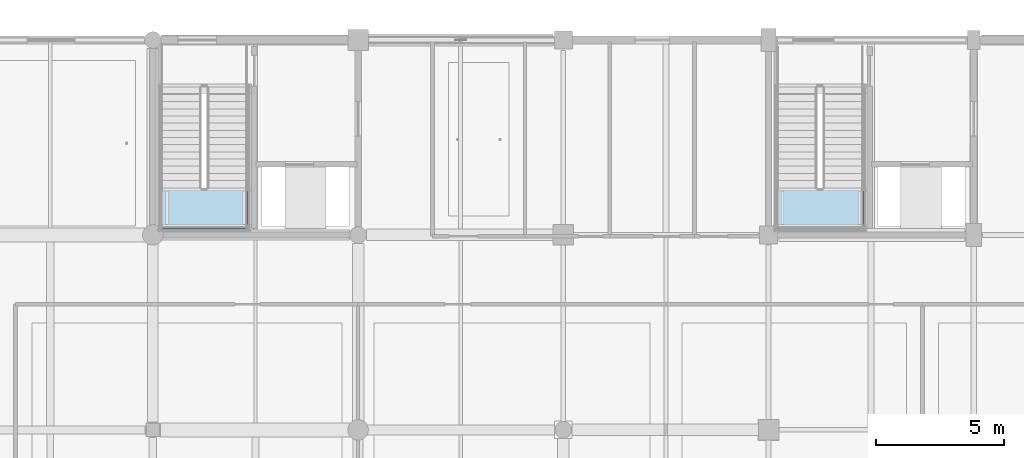
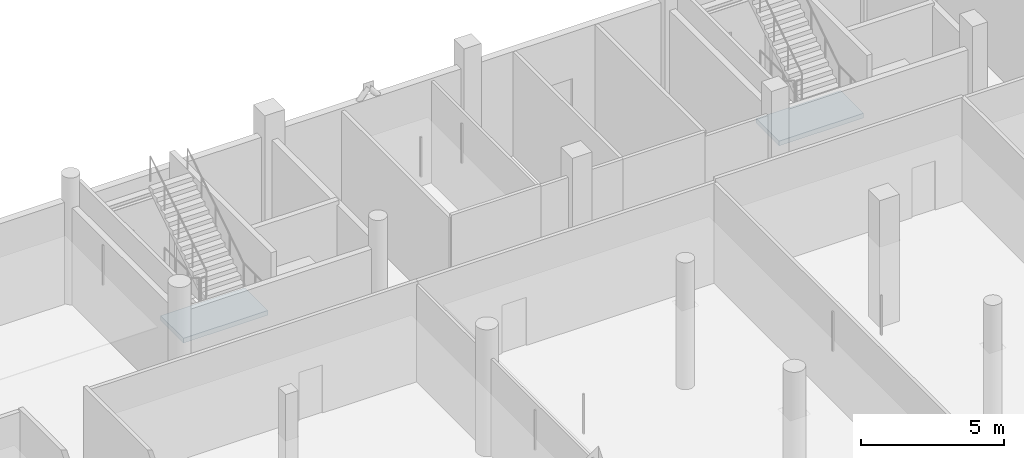
# One storey, part 54 of 126: 2 slabs, 2 elements without a shape of their own.
"""IFC4 building model written with IfcOpenShell, lengths in metres."""

from ifc_helpers import new_model, si_unit, direction, frame, origin, place, context, subcontext, project, spatial, polyline, outline, extrude, material, layer, layer_set, type_object, element, aggregate, save


model = new_model("IFC4")

# Units and contexts
model_context = context("Model", 3, precision=1e-05, world=origin(), true_north=direction((0.0, 1.0)))
body_context = subcontext(model_context, "Body", "Model", "MODEL_VIEW")
ifc_project = project(units=[si_unit("LENGTHUNIT", "METRE"), si_unit("AREAUNIT", "SQUARE_METRE"), si_unit("VOLUMEUNIT", "CUBIC_METRE"), si_unit("PLANEANGLEUNIT", "RADIAN"), si_unit("MASSUNIT", "GRAM", prefix="KILO")], contexts=[model_context])

# Site, building, storey
site_placement = place(None, origin())
site = spatial("IfcSite", under=ifc_project, at=site_placement, CompositionType="ELEMENT")
building_placement = place(site_placement, origin())
building = spatial("IfcBuilding", under=site, at=building_placement, Name="Khelvaren Railside Concert Hall", CompositionType="ELEMENT")
storey_placement = place(building_placement, origin())
storey = spatial("IfcBuildingStorey", under=building, at=storey_placement, Name="L00", CompositionType="ELEMENT", Elevation=0.0)

# Stair, slab
ifc_material = material(Name="Concrete C40/50", Category="concrete")
stair_type = type_object("IfcStairType", Name="ST31", PredefinedType="HALF_TURN_STAIR", material=ifc_material)
stair_1_placement = place(storey_placement, origin())
stair_1 = element("IfcStair", 1, at=stair_1_placement, inside=storey, type_object=stair_type, Name="L00 Core Exit Stair ST-09", PredefinedType="HALF_TURN_STAIR")
ifc_layer = layer(ifc_material, 0.199951171875)
ifc_layer_set = layer_set([ifc_layer], Name="Concrete C40/50")
slab_type = type_object("IfcSlabType", Name="LND67", PredefinedType="LANDING", material=ifc_layer_set)
slab_1_placement = place(storey_placement, frame((0.0, 0.0, 2.5)))
slab_1 = element("IfcSlab", 2, at=slab_1_placement, type_object=slab_type, Name="ST-09 landing 1", PredefinedType="LANDING", context=body_context, shape_type="SweptSolid", body=[
    extrude(outline(polyline([(144.300048828125, 108.239990234375), (144.300048828125, 106.639892578125), (147.699951171875, 106.639892578125), (147.699951171875, 108.239990234375), (144.300048828125, 108.239990234375)])), origin(), (0.0, 0.0, 1.0), 0.199951171875),
])
aggregate(stair_1, [slab_1])

stair_2_placement = place(storey_placement, origin())
stair_2 = element("IfcStair", 3, at=stair_2_placement, inside=storey, type_object=stair_type, Name="L00 Core Exit Stair ST-10", PredefinedType="HALF_TURN_STAIR")
slab_2_placement = place(storey_placement, frame((0.0, 0.0, 2.5)))
slab_2 = element("IfcSlab", 4, at=slab_2_placement, type_object=slab_type, Name="ST-10 landing 1", PredefinedType="LANDING", context=body_context, shape_type="SweptSolid", body=[
    extrude(outline(polyline([(168.300048828125, 108.239990234375), (168.300048828125, 106.639892578125), (171.699951171875, 106.639892578125), (171.699951171875, 108.239990234375), (168.300048828125, 108.239990234375)])), origin(), (0.0, 0.0, 1.0), 0.199951171875),
])
aggregate(stair_2, [slab_2])

save(model, "model.ifc")
